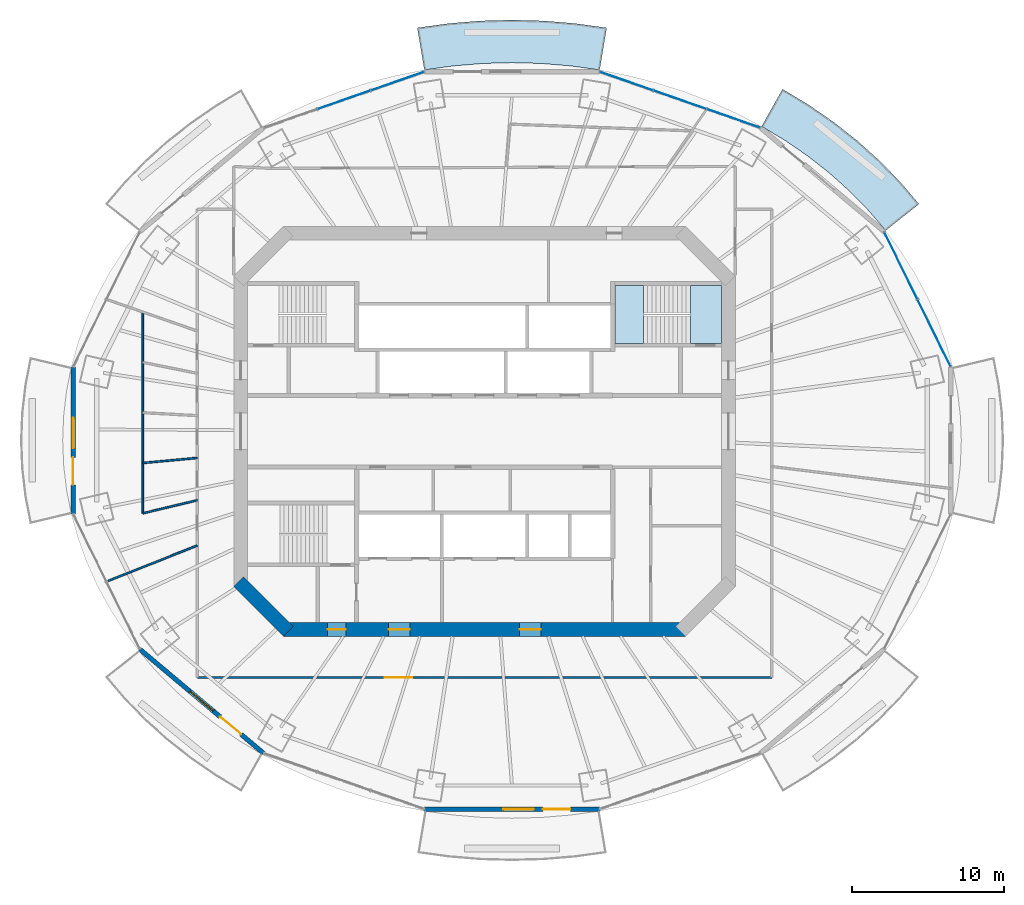
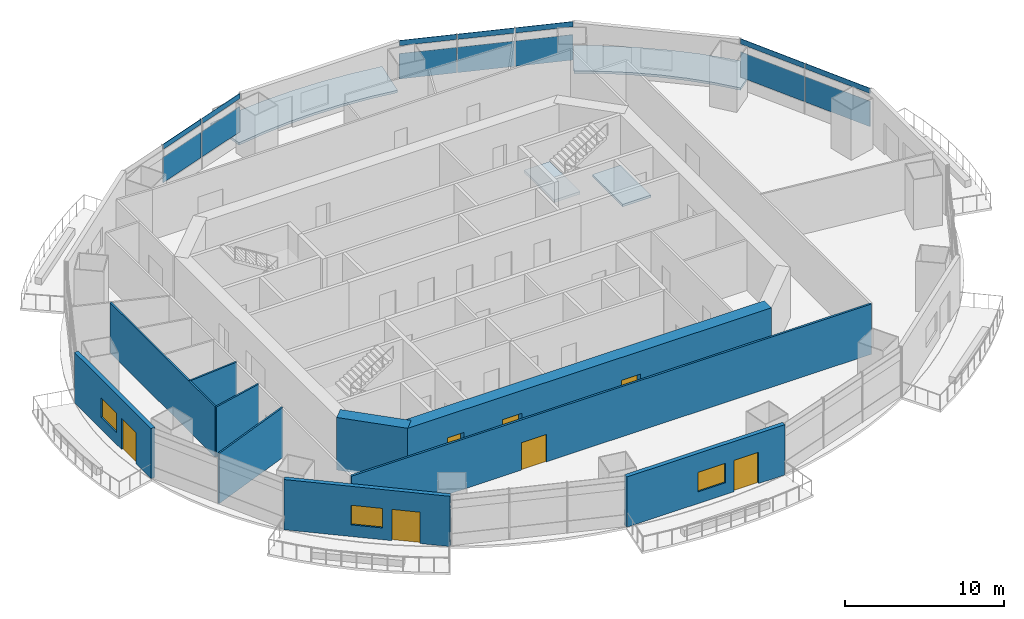
# One storey, part 10 of 16: 14 plates, 10 walls, 7 doors, 4 slabs, 3 windows, 10 openings, 7 elements without a shape of their own.
"""IFC4 building model written with IfcOpenShell, lengths in metres."""

import ifcopenshell
import ifcopenshell.guid

model = None  # the IFC model being written
_history = None  # IfcOwnerHistory: only IFC2X3 demands one
_inside = {}  # id of a spatial element -> (the spatial element, [elements in it])
_under = {}  # id of a project, library or spatial element -> (it, [spatial elements below it])
_declared = {}  # id of a project -> (the project, [libraries it declares])
_typed = {}  # id of a type object -> (the type object, [elements of that type])
_made_of = {}  # id of a material, layer set ... -> (it, [elements and type objects made of it])


def new_model(schema):
    """Start an empty IFC model of exactly this schema.

    Asked for "IFC4X3", IfcOpenShell would pick the latest addendum, in which some entities
    have other attributes; the version numbers below select the first issue.
    IFC2X3 requires an IfcOwnerHistory on every rooted entity: one is made here for all.
    """
    global model, _history
    if schema == "IFC4X3":
        model = ifcopenshell.file(schema_version=(4, 3, 0, 0))
    else:
        model = ifcopenshell.file(schema=schema)
    _inside.clear()
    _under.clear()
    _declared.clear()
    _typed.clear()
    _made_of.clear()
    _history = None
    if model.schema == "IFC2X3":
        org = make("IfcOrganization", Name="unknown")
        user = make(
            "IfcPersonAndOrganization",
            ThePerson=make("IfcPerson", FamilyName="unknown"),
            TheOrganization=org,
        )
        app = make(
            "IfcApplication",
            ApplicationDeveloper=org,
            Version="unknown",
            ApplicationFullName="unknown",
            ApplicationIdentifier="unknown",
        )
        _history = make(
            "IfcOwnerHistory",
            OwningUser=user,
            OwningApplication=app,
            ChangeAction="ADDED",
            CreationDate=0,
        )
    return model


def make(cls, **values):
    """One entity of the class cls with the attributes given. An attribute that is None is left unset."""
    return model.create_entity(
        cls, **{name: value for name, value in values.items() if value is not None}
    )


def rooted(cls, **values):
    """An entity with a GlobalId (a new one), such as an element, a storey or a relation."""
    return make(cls, GlobalId=ifcopenshell.guid.new(), OwnerHistory=_history, **values)


def si_unit(unit_type, name, prefix=None):
    """IfcSIUnit, for example si_unit("LENGTHUNIT", "METRE", prefix="MILLI")."""
    return make("IfcSIUnit", UnitType=unit_type, Prefix=prefix, Name=name)


def assignment(units):
    """IfcUnitAssignment: the units of a project."""
    return None if units is None else make("IfcUnitAssignment", Units=units)


def point(xyz):
    """IfcCartesianPoint."""
    return None if xyz is None else make("IfcCartesianPoint", Coordinates=xyz)


def direction(xyz):
    """IfcDirection."""
    return None if xyz is None else make("IfcDirection", DirectionRatios=xyz)


def frame(location, z_axis=None, x_axis=None):
    """IfcAxis2Placement3D, a coordinate frame: its origin and axes. An axis left out is left unset."""
    return make(
        "IfcAxis2Placement3D",
        Location=point(location),
        Axis=direction(z_axis),
        RefDirection=direction(x_axis),
    )


def frame_2d(location, x_axis=None):
    """IfcAxis2Placement2D, a coordinate frame in the plane: its origin and x axis."""
    return make(
        "IfcAxis2Placement2D", Location=point(location), RefDirection=direction(x_axis)
    )


def origin():
    """The frame at (0, 0, 0) with its axes left unset."""
    return frame((0.0, 0.0, 0.0))


def origin_2d():
    """The frame at (0, 0) in the plane with its x axis left unset."""
    return frame_2d((0.0, 0.0))


def place(relative_to, where):
    """IfcLocalPlacement: puts the frame where relative to a parent placement (None: the world)."""
    return make(
        "IfcLocalPlacement", PlacementRelTo=relative_to, RelativePlacement=where
    )


def context(
    kind, dimensions, precision=None, world=None, true_north=None, identifier=None
):
    """IfcGeometricRepresentationContext, for example the 3D "Model" context."""
    return make(
        "IfcGeometricRepresentationContext",
        ContextIdentifier=identifier,
        ContextType=kind,
        CoordinateSpaceDimension=dimensions,
        Precision=precision,
        WorldCoordinateSystem=world,
        TrueNorth=true_north,
    )


def subcontext(parent, identifier, kind, view, scale=None):
    """IfcGeometricRepresentationSubContext, for example "Body" below "Model"."""
    return make(
        "IfcGeometricRepresentationSubContext",
        ContextIdentifier=identifier,
        ContextType=kind,
        ParentContext=parent,
        TargetScale=scale,
        TargetView=view,
    )


def project(units=None, contexts=None):
    """IfcProject with its units and contexts."""
    return rooted(
        "IfcProject",
        Name="project",
        RepresentationContexts=contexts,
        UnitsInContext=assignment(units),
    )


def spatial(cls, under=None, at=None, **own):
    """A site, building, storey or space (cls), placed at a placement, below another one or the project."""
    s = rooted(cls, ObjectPlacement=at, **own)
    if under is not None:
        _under.setdefault(under.id(), (under, []))[1].append(s)
    return s


def polyline(points):
    """IfcPolyline through the points."""
    return make("IfcPolyline", Points=[point(p) for p in points])


def profile(cls, at=None, kind="AREA", **sizes):
    """A parametric profile (cls). Its sizes go by their IFC names, for example OverallWidth=200.0."""
    return make(cls, ProfileType=kind, Position=at, **sizes)


def rectangle(**sizes):
    """IfcRectangleProfileDef."""
    return profile("IfcRectangleProfileDef", **sizes)


def outline(outer, holes=None, kind="AREA"):
    """IfcArbitraryClosedProfileDef: a profile drawn as a closed curve; with holes, ...WithVoids."""
    if holes is None:
        return make("IfcArbitraryClosedProfileDef", ProfileType=kind, OuterCurve=outer)
    return make(
        "IfcArbitraryProfileDefWithVoids",
        ProfileType=kind,
        OuterCurve=outer,
        InnerCurves=holes,
    )


def extrude(swept, where, along, depth):
    """IfcExtrudedAreaSolid: the profile swept, set in the frame where, extruded along a direction by depth."""
    return make(
        "IfcExtrudedAreaSolid",
        SweptArea=swept,
        Position=where,
        ExtrudedDirection=direction(along),
        Depth=depth,
    )


def shape(context_of_items, identifier, shape_type, items):
    """IfcShapeRepresentation: the items that make up one representation, for example the "Body"."""
    return make(
        "IfcShapeRepresentation",
        ContextOfItems=context_of_items,
        RepresentationIdentifier=identifier,
        RepresentationType=shape_type,
        Items=items,
    )


def material(Name=None, Category=None):
    """IfcMaterial."""
    return make("IfcMaterial", Name=Name, Category=Category)


def layer(
    of_material, thickness, ventilated=None, Name=None, Category=None, Priority=None
):
    """IfcMaterialLayer: one layer of a wall or slab, of a material (None: an air gap)."""
    return make(
        "IfcMaterialLayer",
        Material=of_material,
        LayerThickness=thickness,
        IsVentilated=ventilated,
        Name=Name,
        Category=Category,
        Priority=Priority,
    )


def layer_set(layers, Name=None):
    """IfcMaterialLayerSet."""
    return make("IfcMaterialLayerSet", MaterialLayers=layers, LayerSetName=Name)


def made_of(thing, what):
    """Note that an element or type object is made of a material, layer set ...; save() writes the relation."""
    if what is not None:
        _made_of.setdefault(what.id(), (what, []))[1].append(thing)
    return thing


def type_object(cls, material=None, **own):
    """A type object (cls), such as IfcWallType, which elements share."""
    return made_of(rooted(cls, **own), material)


def element(
    cls,
    number,
    at=None,
    inside=None,
    cuts=None,
    type_object=None,
    material=None,
    context=None,
    identifier="Body",
    shape_type=None,
    held_by="IfcProductDefinitionShape",
    body=None,
    shapes=None,
    **own,
):
    """One element of the class cls, such as IfcWall. Its Tag is "e" and its number.

    at: its placement. inside: the storey or other place that contains it. cuts: it is an
    opening in that element (IfcRelVoidsElement). A single representation is given by context,
    identifier, shape_type and body (its items); several are given by shapes. held_by: the class
    of the entity that holds the representations. save() writes the other relations.
    """
    e = rooted(cls, Tag="e%d" % number, ObjectPlacement=at, **own)
    if body is not None:
        shapes = [shape(context, identifier, shape_type, body)]
    if shapes is not None:
        e.Representation = make(held_by, Representations=shapes)
    if inside is not None:
        _inside.setdefault(inside.id(), (inside, []))[1].append(e)
    if cuts is not None:
        rooted(
            "IfcRelVoidsElement", RelatingBuildingElement=cuts, RelatedOpeningElement=e
        )
    if type_object is not None:
        _typed.setdefault(type_object.id(), (type_object, []))[1].append(e)
    return made_of(e, material)


def fill(opening, filler):
    """IfcRelFillsElement: the door or window that sits in an opening."""
    return rooted(
        "IfcRelFillsElement",
        RelatingOpeningElement=opening,
        RelatedBuildingElement=filler,
    )


def aggregate(whole, parts):
    """IfcRelAggregates: a whole, such as a stair, and the parts it consists of."""
    return rooted("IfcRelAggregates", RelatingObject=whole, RelatedObjects=parts)


def save(model, path):
    """Write the relations noted so far, then the file.

    IfcRelAggregates (storeys below a building ...), IfcRelContainedInSpatialStructure (elements
    in a storey), IfcRelDefinesByType, IfcRelAssociatesMaterial and IfcRelDeclares: one each for
    every whole, place, type object, material and project.
    """
    for whole, parts in _under.values():
        aggregate(whole, parts)
    for where, things in _inside.values():
        rooted(
            "IfcRelContainedInSpatialStructure",
            RelatedElements=things,
            RelatingStructure=where,
        )
    for kind, things in _typed.values():
        rooted("IfcRelDefinesByType", RelatedObjects=things, RelatingType=kind)
    for what, things in _made_of.values():
        rooted("IfcRelAssociatesMaterial", RelatedObjects=things, RelatingMaterial=what)
    for by, libraries in _declared.values():
        rooted("IfcRelDeclares", RelatingContext=by, RelatedDefinitions=libraries)
    model.write(path)


model = new_model("IFC4")

# Units and contexts
model_context = context("Model", 3, precision=1e-05, world=origin(), true_north=direction((0.0, 1.0)))
body_context = subcontext(model_context, "Body", "Model", "MODEL_VIEW")
ifc_project = project(units=[si_unit("LENGTHUNIT", "METRE"), si_unit("AREAUNIT", "SQUARE_METRE"), si_unit("VOLUMEUNIT", "CUBIC_METRE"), si_unit("PLANEANGLEUNIT", "RADIAN"), si_unit("MASSUNIT", "GRAM", prefix="KILO")], contexts=[model_context])

# Site, building, storey
site_placement = place(None, origin())
site = spatial("IfcSite", under=ifc_project, at=site_placement, CompositionType="ELEMENT")
building_placement = place(site_placement, origin())
building = spatial("IfcBuilding", under=site, at=building_placement, Name="Marenthal Gate Tower", CompositionType="ELEMENT")
storey_placement = place(building_placement, frame((0.0, 0.0, 268.949951171875)))
storey = spatial("IfcBuildingStorey", under=building, at=storey_placement, Name="L60", CompositionType="ELEMENT", Elevation=268.949951171875)

# Slabs
ifc_material_1 = material(Name="Concrete 40 MPa", Category="concrete")
ifc_layer_1 = layer(ifc_material_1, 0.179931640625)
ifc_layer_set_1 = layer_set([ifc_layer_1], Name="Balcony deck 180")
slab_type_1 = type_object("IfcSlabType", Name="Balcony deck 180", PredefinedType="USERDEFINED", material=ifc_layer_set_1)
slab_1_placement = place(storey_placement, frame((0.0, 0.0, -0.219970703125)))
element("IfcSlab", 1, at=slab_1_placement, inside=storey, type_object=slab_type_1, Name="Balcony deck L60 bay 2", ObjectType="BALCONY", PredefinedType="USERDEFINED", context=body_context, shape_type="SweptSolid", body=[
    extrude(outline(polyline([(26.3125, 13.17138671875), (25.188720703125, 14.489990234375), (23.965087890625, 15.743896484375), (22.646240234375, 16.927734375), (21.23828125, 18.03662109375), (19.746826171875, 19.065673828125), (18.1787109375, 20.010498046875), (19.55029296875, 22.45166015625), (21.264892578125, 21.41845703125), (22.89990234375, 20.290283203125), (24.4482421875, 19.07080078125), (25.90283203125, 17.76513671875), (27.257080078125, 16.37744140625), (28.504638671875, 14.91357421875), (26.3125, 13.17138671875)])), origin(), (0.0, 0.0, 1.0), 0.179931640625),
])
slab_2_placement = place(storey_placement, frame((0.0, 0.0, -0.219970703125)))
element("IfcSlab", 2, at=slab_2_placement, inside=storey, type_object=slab_type_1, Name="Balcony deck L60 bay 4", ObjectType="BALCONY", PredefinedType="USERDEFINED", context=body_context, shape_type="SweptSolid", body=[
    extrude(outline(polyline([(7.551513671875, 23.711669921875), (5.64794921875, 23.975830078125), (3.72802734375, 24.135009765625), (1.800048828125, 24.18798828125), (-0.128173828125, 24.135009765625), (-2.048095703125, 23.975830078125), (-3.951416015625, 23.711669921875), (-4.413330078125, 26.473388671875), (-2.35595703125, 26.7587890625), (-0.2822265625, 26.9306640625), (1.800048828125, 26.988037109375), (3.882080078125, 26.9306640625), (5.9560546875, 26.7587890625), (8.013427734375, 26.473388671875), (7.551513671875, 23.711669921875)])), origin(), (0.0, 0.0, 1.0), 0.179931640625),
])
ifc_material_2 = material(Name="Concrete 50 MPa", Category="concrete")
ifc_layer_2 = layer(ifc_material_2, 0.179931640625)
ifc_layer_set_2 = layer_set([ifc_layer_2], Name="Core floor slab 180")
slab_type_2 = type_object("IfcSlabType", Name="Core floor slab 180", PredefinedType="FLOOR", material=ifc_layer_set_2)
slab_3_placement = place(storey_placement, frame((0.0, 0.0, -0.179931640625)))
element("IfcSlab", 3, at=slab_3_placement, inside=storey, type_object=slab_type_2, Name="Core floor L60", PredefinedType="FLOOR", context=body_context, shape_type="SweptSolid", body=[
    extrude(outline(polyline([(15.550048828125, 5.77490234375), (13.5, 5.77490234375), (13.5, 9.574951171875), (15.550048828125, 9.574951171875), (15.550048828125, 5.77490234375)])), origin(), (0.0, 0.0, 1.0), 0.179931640625),
])

# Curtain wall, plates
ifc_material_3 = material(Name="Aluminium and glass", Category="aluminium")
curtain_wall_type_1 = type_object("IfcCurtainWallType", Name="Curtain wall typical mid", PredefinedType="NOTDEFINED", material=ifc_material_3)
curtain_wall_1_placement = place(storey_placement, origin())
curtain_wall_1 = element("IfcCurtainWall", 4, at=curtain_wall_1_placement, inside=storey, type_object=curtain_wall_type_1, Name="Curtain wall L60 bay 1", PredefinedType="NOTDEFINED")
ifc_material_4 = material(Name="Glass, laminated insulating unit", Category="glass")
ifc_layer_3 = layer(ifc_material_4, 0.030029296875)
ifc_layer_set_3 = layer_set([ifc_layer_3], Name="Glass panel 30 typical mid")
plate_type_1 = type_object("IfcPlateType", Name="Glass panel 30 typical mid", PredefinedType="CURTAIN_PANEL", material=ifc_layer_set_3)
plate_1_placement = place(storey_placement, frame((29.494140625, 6.448974609375, 0.89990234375), z_axis=(0.0, 0.0, 1.0), x_axis=(-0.442191564697, 0.896920632002, 0.0)))
plate_1 = element("IfcPlate", 5, at=plate_1_placement, type_object=plate_type_1, Name="Glass panel L60 bay 1.1", PredefinedType="CURTAIN_PANEL", context=body_context, shape_type="SweptSolid", body=[
    extrude(rectangle(XDim=4.8671875, YDim=0.030029296875, at=origin_2d()), origin(), (0.0, 0.0, 1.0), 1.949951171875),
])
plate_2_placement = place(storey_placement, frame((27.3154296875, 10.8681640625, 0.89990234375), z_axis=(0.0, 0.0, 1.0), x_axis=(-0.442191564697, 0.896920632002, 0.0)))
plate_2 = element("IfcPlate", 6, at=plate_2_placement, type_object=plate_type_1, Name="Glass panel L60 bay 1.2", PredefinedType="CURTAIN_PANEL", context=body_context, shape_type="SweptSolid", body=[
    extrude(rectangle(XDim=4.8671875, YDim=0.030029296875, at=origin_2d()), origin(), (0.0, 0.0, 1.0), 1.949951171875),
])
aggregate(curtain_wall_1, [plate_1, plate_2])

curtain_wall_2_placement = place(storey_placement, origin())
curtain_wall_2 = element("IfcCurtainWall", 7, at=curtain_wall_2_placement, inside=storey, type_object=curtain_wall_type_1, Name="Curtain wall L60 bay 3", PredefinedType="NOTDEFINED")
plate_3_placement = place(storey_placement, frame((16.3291015625, 20.53125, 0.89990234375), z_axis=(0.0, 0.0, 1.0), x_axis=(-0.944444900709, 0.328669787971, 0.0)))
plate_3 = element("IfcPlate", 8, at=plate_3_placement, type_object=plate_type_1, Name="Glass panel L60 bay 3.1", PredefinedType="CURTAIN_PANEL", context=body_context, shape_type="SweptSolid", body=[
    extrude(rectangle(XDim=3.655517578125, YDim=0.030029296875, at=origin_2d()), origin(), (0.0, 0.0, 1.0), 1.949951171875),
])
plate_4_placement = place(storey_placement, frame((12.820068359375, 21.75244140625, 0.89990234375), z_axis=(0.0, 0.0, 1.0), x_axis=(-0.944444900709, 0.328669787971, 0.0)))
plate_4 = element("IfcPlate", 9, at=plate_4_placement, type_object=plate_type_1, Name="Glass panel L60 bay 3.2", PredefinedType="CURTAIN_PANEL", context=body_context, shape_type="SweptSolid", body=[
    extrude(rectangle(XDim=3.655517578125, YDim=0.030029296875, at=origin_2d()), origin(), (0.0, 0.0, 1.0), 1.949951171875),
])
plate_5_placement = place(storey_placement, frame((9.310791015625, 22.9736328125, 0.89990234375), z_axis=(0.0, 0.0, 1.0), x_axis=(-0.944444900709, 0.328669787971, 0.0)))
plate_5 = element("IfcPlate", 10, at=plate_5_placement, type_object=plate_type_1, Name="Glass panel L60 bay 3.3", PredefinedType="CURTAIN_PANEL", context=body_context, shape_type="SweptSolid", body=[
    extrude(rectangle(XDim=3.655517578125, YDim=0.030029296875, at=origin_2d()), origin(), (0.0, 0.0, 1.0), 1.949951171875),
])
aggregate(curtain_wall_2, [plate_3, plate_4, plate_5])

curtain_wall_3_placement = place(storey_placement, origin())
curtain_wall_3 = element("IfcCurtainWall", 11, at=curtain_wall_3_placement, inside=storey, type_object=curtain_wall_type_1, Name="Curtain wall L60 bay 5", PredefinedType="NOTDEFINED")
plate_6_placement = place(storey_placement, frame((-5.7109375, 22.9736328125, 0.89990234375), z_axis=(0.0, 0.0, 1.0), x_axis=(-0.944444900709, -0.328669787971, 0.0)))
plate_6 = element("IfcPlate", 12, at=plate_6_placement, type_object=plate_type_1, Name="Glass panel L60 bay 5.1", PredefinedType="CURTAIN_PANEL", context=body_context, shape_type="SweptSolid", body=[
    extrude(rectangle(XDim=3.655517578125, YDim=0.030029296875, at=origin_2d()), origin(), (0.0, 0.0, 1.0), 1.949951171875),
])
plate_7_placement = place(storey_placement, frame((-9.219970703125, 21.75244140625, 0.89990234375), z_axis=(0.0, 0.0, 1.0), x_axis=(-0.944444900709, -0.328669787971, 0.0)))
plate_7 = element("IfcPlate", 13, at=plate_7_placement, type_object=plate_type_1, Name="Glass panel L60 bay 5.2", PredefinedType="CURTAIN_PANEL", context=body_context, shape_type="SweptSolid", body=[
    extrude(rectangle(XDim=3.655517578125, YDim=0.030029296875, at=origin_2d()), origin(), (0.0, 0.0, 1.0), 1.949951171875),
])
aggregate(curtain_wall_3, [plate_6, plate_7])

# Stair, slab
ifc_material_5 = material(Name="Concrete 40 MPa", Category="concrete")
stair_type = type_object("IfcStairType", Name="Exit stair 1800", PredefinedType="HALF_TURN_STAIR", material=ifc_material_5)
stair_placement = place(storey_placement, origin())
stair = element("IfcStair", 14, at=stair_placement, inside=storey, type_object=stair_type, Name="Stair ST3", PredefinedType="HALF_TURN_STAIR")
ifc_material_6 = material(Name="Concrete 40 MPa", Category="concrete")
ifc_layer_4 = layer(ifc_material_6, 0.199951171875)
ifc_layer_set_4 = layer_set([ifc_layer_4], Name="Stair landing 200")
slab_type_3 = type_object("IfcSlabType", Name="Stair landing 200", PredefinedType="LANDING", material=ifc_layer_set_4)
slab_4_placement = place(storey_placement, frame((0.0, 0.0, 1.875)))
slab_4 = element("IfcSlab", 15, at=slab_4_placement, type_object=slab_type_3, Name="ST3 landing 1", PredefinedType="LANDING", context=body_context, shape_type="SweptSolid", body=[
    extrude(outline(polyline([(8.550048828125, 5.77490234375), (10.419921875, 5.77490234375), (10.419921875, 9.574951171875), (8.550048828125, 9.574951171875), (8.550048828125, 5.77490234375)])), origin(), (0.0, 0.0, 1.0), 0.199951171875),
])
aggregate(stair, [slab_4])

# Curtain wall, plates
ifc_material_7 = material(Name="Aluminium and glass", Category="aluminium")
curtain_wall_type_2 = type_object("IfcCurtainWallType", Name="Curtain wall crown clad", PredefinedType="NOTDEFINED", material=ifc_material_7)
curtain_wall_4_placement = place(storey_placement, origin())
curtain_wall_4 = element("IfcCurtainWall", 16, at=curtain_wall_4_placement, inside=storey, type_object=curtain_wall_type_2, Name="Curtain wall L60 bay 1 head band", PredefinedType="NOTDEFINED")
ifc_material_8 = material(Name="Terracotta cladding panel", Category="masonry")
ifc_layer_5 = layer(ifc_material_8, 0.031982421875)
ifc_layer_set_5 = layer_set([ifc_layer_5], Name="Terracotta panel 32 crown clad")
plate_type_2 = type_object("IfcPlateType", Name="Terracotta panel 32 crown clad", PredefinedType="CURTAIN_PANEL", material=ifc_layer_set_5)
plate_8_placement = place(storey_placement, frame((29.494140625, 6.448974609375, 3.4501953125), z_axis=(0.0, 0.0, 1.0), x_axis=(-0.442191564697, 0.896920632002, 0.0)))
plate_8 = element("IfcPlate", 17, at=plate_8_placement, type_object=plate_type_2, Name="Terracotta panel L60 bay 1.1 head band", PredefinedType="CURTAIN_PANEL", context=body_context, shape_type="SweptSolid", body=[
    extrude(rectangle(XDim=4.8671875, YDim=0.031982421875, at=origin_2d()), origin(), (0.0, 0.0, 1.0), 0.39990234375),
])
plate_9_placement = place(storey_placement, frame((27.3154296875, 10.8681640625, 3.4501953125), z_axis=(0.0, 0.0, 1.0), x_axis=(-0.442191564697, 0.896920632002, 0.0)))
plate_9 = element("IfcPlate", 18, at=plate_9_placement, type_object=plate_type_2, Name="Terracotta panel L60 bay 1.2 head band", PredefinedType="CURTAIN_PANEL", context=body_context, shape_type="SweptSolid", body=[
    extrude(rectangle(XDim=4.8671875, YDim=0.031982421875, at=origin_2d()), origin(), (0.0, 0.0, 1.0), 0.39990234375),
])
aggregate(curtain_wall_4, [plate_8, plate_9])

curtain_wall_5_placement = place(storey_placement, origin())
curtain_wall_5 = element("IfcCurtainWall", 19, at=curtain_wall_5_placement, inside=storey, type_object=curtain_wall_type_2, Name="Curtain wall L60 bay 3 head band", PredefinedType="NOTDEFINED")
plate_10_placement = place(storey_placement, frame((16.3291015625, 20.53125, 3.4501953125), z_axis=(0.0, 0.0, 1.0), x_axis=(-0.944444900709, 0.328669787971, 0.0)))
plate_10 = element("IfcPlate", 20, at=plate_10_placement, type_object=plate_type_2, Name="Terracotta panel L60 bay 3.1 head band", PredefinedType="CURTAIN_PANEL", context=body_context, shape_type="SweptSolid", body=[
    extrude(rectangle(XDim=3.655517578125, YDim=0.031982421875, at=origin_2d()), origin(), (0.0, 0.0, 1.0), 0.39990234375),
])
plate_11_placement = place(storey_placement, frame((12.820068359375, 21.75244140625, 3.4501953125), z_axis=(0.0, 0.0, 1.0), x_axis=(-0.944444900709, 0.328669787971, 0.0)))
plate_11 = element("IfcPlate", 21, at=plate_11_placement, type_object=plate_type_2, Name="Terracotta panel L60 bay 3.2 head band", PredefinedType="CURTAIN_PANEL", context=body_context, shape_type="SweptSolid", body=[
    extrude(rectangle(XDim=3.655517578125, YDim=0.031982421875, at=origin_2d()), origin(), (0.0, 0.0, 1.0), 0.39990234375),
])
plate_12_placement = place(storey_placement, frame((9.310791015625, 22.9736328125, 3.4501953125), z_axis=(0.0, 0.0, 1.0), x_axis=(-0.944444900709, 0.328669787971, 0.0)))
plate_12 = element("IfcPlate", 22, at=plate_12_placement, type_object=plate_type_2, Name="Terracotta panel L60 bay 3.3 head band", PredefinedType="CURTAIN_PANEL", context=body_context, shape_type="SweptSolid", body=[
    extrude(rectangle(XDim=3.655517578125, YDim=0.031982421875, at=origin_2d()), origin(), (0.0, 0.0, 1.0), 0.39990234375),
])
aggregate(curtain_wall_5, [plate_10, plate_11, plate_12])

curtain_wall_6_placement = place(storey_placement, origin())
curtain_wall_6 = element("IfcCurtainWall", 23, at=curtain_wall_6_placement, inside=storey, type_object=curtain_wall_type_2, Name="Curtain wall L60 bay 5 head band", PredefinedType="NOTDEFINED")
plate_13_placement = place(storey_placement, frame((-5.7109375, 22.9736328125, 3.4501953125), z_axis=(0.0, 0.0, 1.0), x_axis=(-0.944444900709, -0.328669787971, 0.0)))
plate_13 = element("IfcPlate", 24, at=plate_13_placement, type_object=plate_type_2, Name="Terracotta panel L60 bay 5.1 head band", PredefinedType="CURTAIN_PANEL", context=body_context, shape_type="SweptSolid", body=[
    extrude(rectangle(XDim=3.655517578125, YDim=0.031982421875, at=origin_2d()), origin(), (0.0, 0.0, 1.0), 0.39990234375),
])
plate_14_placement = place(storey_placement, frame((-9.219970703125, 21.75244140625, 3.4501953125), z_axis=(0.0, 0.0, 1.0), x_axis=(-0.944444900709, -0.328669787971, 0.0)))
plate_14 = element("IfcPlate", 25, at=plate_14_placement, type_object=plate_type_2, Name="Terracotta panel L60 bay 5.2 head band", PredefinedType="CURTAIN_PANEL", context=body_context, shape_type="SweptSolid", body=[
    extrude(rectangle(XDim=3.655517578125, YDim=0.031982421875, at=origin_2d()), origin(), (0.0, 0.0, 1.0), 0.39990234375),
])
aggregate(curtain_wall_6, [plate_13, plate_14])

# Wall
ifc_material_9 = material(Name="Concrete 60 MPa", Category="concrete")
ifc_layer_6 = layer(ifc_material_9, 0.89990234375)
ifc_layer_set_6 = layer_set([ifc_layer_6], Name="Core shear wall 900")
wall_type_1 = type_object("IfcWallType", Name="Core shear wall 900", PredefinedType="SHEAR", material=ifc_layer_set_6)
wall_1_placement = place(storey_placement, frame((-16.1318359375, -9.8681640625, -0.179931640625), z_axis=(0.0, 0.0, 1.0), x_axis=(0.707106781187, -0.707106781187, 0.0)))
element("IfcWall", 26, at=wall_1_placement, inside=storey, type_object=wall_type_1, Name="Core wall 07", PredefinedType="SHEAR", context=body_context, shape_type="SweptSolid", body=[
    extrude(rectangle(XDim=4.615478515625, YDim=0.89990234375, at=frame_2d((2.3076171875, 0.0))), origin(), (0.0, 0.0, 1.0), 4.030029296875),
])

# Wall, openings, doors
wall_2_placement = place(storey_placement, frame((-13.186279296875, -13.0, -0.179931640625), z_axis=(0.0, 0.0, 1.0), x_axis=(1.0, 0.0, 0.0)))
wall_2 = element("IfcWall", 27, at=wall_2_placement, inside=storey, type_object=wall_type_1, Name="Core wall 08", PredefinedType="SHEAR", context=body_context, shape_type="SweptSolid", body=[
    extrude(rectangle(XDim=26.37255859375, YDim=0.89990234375, at=frame_2d((13.186279296875, 0.0))), origin(), (0.0, 0.0, 1.0), 4.030029296875),
])
opening_1_placement = place(wall_2_placement, frame((2.886474609375, 0.0, 0.179931640625)))
opening_1 = element("IfcOpeningElement", 28, at=opening_1_placement, cuts=wall_2, Name="Opening D001.06", PredefinedType="OPENING", context=body_context, shape_type="SweptSolid", body=[
    extrude(rectangle(XDim=1.199951171875, YDim=2.10009765625, at=frame_2d((0.60009765625, 1.050048828125))), frame((0.0, 0.4599609375, 0.0), z_axis=(0.0, -1.0, 0.0), x_axis=(1.0, 0.0, 0.0)), (0.0, 0.0, 1.0), 0.919921875),
])
opening_2_placement = place(wall_2_placement, frame((6.886474609375, 0.0, 0.179931640625)))
opening_2 = element("IfcOpeningElement", 29, at=opening_2_placement, cuts=wall_2, Name="Opening D004.01", PredefinedType="OPENING", context=body_context, shape_type="SweptSolid", body=[
    extrude(rectangle(XDim=1.39990234375, YDim=2.10009765625, at=frame_2d((0.699951171875, 1.050048828125))), frame((0.0, 0.4599609375, 0.0), z_axis=(0.0, -1.0, 0.0), x_axis=(1.0, 0.0, 0.0)), (0.0, 0.0, 1.0), 0.919921875),
])
opening_3_placement = place(wall_2_placement, frame((15.486328125, 0.0, 0.179931640625)))
opening_3 = element("IfcOpeningElement", 30, at=opening_3_placement, cuts=wall_2, Name="Opening D004.02", PredefinedType="OPENING", context=body_context, shape_type="SweptSolid", body=[
    extrude(rectangle(XDim=1.39990234375, YDim=2.10009765625, at=frame_2d((0.699951171875, 1.050048828125))), frame((0.0, 0.4599609375, 0.0), z_axis=(0.0, -1.0, 0.0), x_axis=(1.0, 0.0, 0.0)), (0.0, 0.0, 1.0), 0.919921875),
])
ifc_material_10 = material(Name="Steel fire door", Category="steel")
door_type_1 = type_object("IfcDoorType", Name="Fire door FD 45 1400 x 2100", OperationType="NOTDEFINED", PredefinedType="DOOR", material=ifc_material_10)
door_1_placement = place(opening_2_placement, origin())
door_1 = element("IfcDoor", 31, at=door_1_placement, inside=storey, type_object=door_type_1, Name="Door D004.01", OperationType="SINGLE_SWING_RIGHT", OverallHeight=2.10009765625, OverallWidth=1.39990234375, PredefinedType="DOOR", context=body_context, shape_type="SweptSolid", body=[
    extrude(rectangle(XDim=1.39990234375, YDim=2.10009765625, at=frame_2d((0.699951171875, 1.050048828125))), frame((0.0, 0.02490234375, 0.0), z_axis=(0.0, -1.0, 0.0), x_axis=(1.0, 0.0, 0.0)), (0.0, 0.0, 1.0), 0.050048828125),
])
fill(opening_2, door_1)
door_2_placement = place(opening_3_placement, origin())
door_2 = element("IfcDoor", 32, at=door_2_placement, inside=storey, type_object=door_type_1, Name="Door D004.02", OperationType="SINGLE_SWING_RIGHT", OverallHeight=2.10009765625, OverallWidth=1.39990234375, PredefinedType="DOOR", context=body_context, shape_type="SweptSolid", body=[
    extrude(rectangle(XDim=1.39990234375, YDim=2.10009765625, at=frame_2d((0.699951171875, 1.050048828125))), frame((0.0, 0.02490234375, 0.0), z_axis=(0.0, -1.0, 0.0), x_axis=(1.0, 0.0, 0.0)), (0.0, 0.0, 1.0), 0.050048828125),
])
fill(opening_3, door_2)
ifc_material_11 = material(Name="Steel fire door", Category="steel")
door_type_2 = type_object("IfcDoorType", Name="Fire door FD 90 1200 x 2100", OperationType="NOTDEFINED", PredefinedType="DOOR", material=ifc_material_11)
door_3_placement = place(opening_1_placement, origin())
door_3 = element("IfcDoor", 33, at=door_3_placement, inside=storey, type_object=door_type_2, Name="Door D001.06", OperationType="SINGLE_SWING_RIGHT", OverallHeight=2.10009765625, OverallWidth=1.199951171875, PredefinedType="DOOR", context=body_context, shape_type="SweptSolid", body=[
    extrude(rectangle(XDim=1.199951171875, YDim=2.10009765625, at=frame_2d((0.60009765625, 1.050048828125))), frame((0.0, 0.02490234375, 0.0), z_axis=(0.0, -1.0, 0.0), x_axis=(1.0, 0.0, 0.0)), (0.0, 0.0, 1.0), 0.050048828125),
])
fill(opening_1, door_3)

# Walls
ifc_material_12 = material(Name="Gypsum board on steel studs", Category="steel")
ifc_layer_7 = layer(ifc_material_12, 0.1201171875)
ifc_layer_set_7 = layer_set([ifc_layer_7], Name="Partition 120")
wall_type_2 = type_object("IfcWallType", Name="Partition 120", PredefinedType="PARTITIONING", material=ifc_layer_set_7)
wall_3_placement = place(storey_placement, frame((-22.4228515625, -5.37939453125, 0.0), z_axis=(0.0, 0.0, 1.0), x_axis=(0.972404790941, 0.233300069769, 0.0)))
element("IfcWall", 34, at=wall_3_placement, inside=storey, type_object=wall_type_2, Name="Partition wall 50", PredefinedType="PARTITIONING", context=body_context, shape_type="SweptSolid", body=[
    extrude(rectangle(XDim=3.674072265625, YDim=0.1201171875, at=frame_2d((1.8369140625, 0.0))), origin(), (0.0, 0.0, 1.0), 3.85009765625),
])
wall_4_placement = place(storey_placement, frame((-22.4228515625, -2.07763671875, 0.0), z_axis=(0.0, 0.0, 1.0), x_axis=(0.995734425091, 0.092265674486, 0.0)))
element("IfcWall", 35, at=wall_4_placement, inside=storey, type_object=wall_type_2, Name="Partition wall 51", PredefinedType="PARTITIONING", context=body_context, shape_type="SweptSolid", body=[
    extrude(rectangle(XDim=3.588134765625, YDim=0.1201171875, at=frame_2d((1.7939453125, 0.0))), origin(), (0.0, 0.0, 1.0), 3.85009765625),
])
wall_5_placement = place(storey_placement, frame((-22.4228515625, 7.8271484375, 0.0), z_axis=(0.0, 0.0, 1.0), x_axis=(0.0, -1.0, 0.0)))
element("IfcWall", 36, at=wall_5_placement, inside=storey, type_object=wall_type_2, Name="Partition wall 54", PredefinedType="PARTITIONING", context=body_context, shape_type="SweptSolid", body=[
    extrude(rectangle(XDim=13.20654296875, YDim=0.1201171875, at=frame_2d((6.603271484375, 0.0))), origin(), (0.0, 0.0, 1.0), 3.85009765625),
])
wall_6_placement = place(storey_placement, frame((-18.85009765625, -7.491943359375, 0.0), z_axis=(0.0, 0.0, 1.0), x_axis=(-0.929289035648, -0.369353337908, 0.0)))
element("IfcWall", 37, at=wall_6_placement, inside=storey, type_object=wall_type_2, Name="Partition wall 56", PredefinedType="PARTITIONING", context=body_context, shape_type="SweptSolid", body=[
    extrude(rectangle(XDim=6.40771484375, YDim=0.1201171875, at=frame_2d((3.203857421875, 0.0))), origin(), (0.0, 0.0, 1.0), 3.85009765625),
])

# Wall, opening, door
ifc_material_13 = material(Name="Gypsum board on steel studs", Category="steel")
ifc_layer_8 = layer(ifc_material_13, 0.14990234375)
ifc_layer_set_8 = layer_set([ifc_layer_8], Name="Partition 150")
wall_type_3 = type_object("IfcWallType", Name="Partition 150", PredefinedType="PARTITIONING", material=ifc_layer_set_8)
wall_7_placement = place(storey_placement, frame((18.85009765625, -16.14990234375, 0.0), z_axis=(0.0, 0.0, 1.0), x_axis=(-1.0, 0.0, 0.0)))
wall_7 = element("IfcWall", 38, at=wall_7_placement, inside=storey, type_object=wall_type_3, Name="Partition wall 68", PredefinedType="PARTITIONING", context=body_context, shape_type="SweptSolid", body=[
    extrude(rectangle(XDim=37.7001953125, YDim=0.14990234375, at=frame_2d((18.85009765625, 0.0))), origin(), (0.0, 0.0, 1.0), 3.85009765625),
])
opening_4_placement = place(wall_7_placement, frame((23.5830078125, 0.0, 0.0)))
opening_4 = element("IfcOpeningElement", 39, at=opening_4_placement, cuts=wall_7, Name="Opening D014.02", PredefinedType="OPENING", context=body_context, shape_type="SweptSolid", body=[
    extrude(rectangle(XDim=1.800048828125, YDim=2.10009765625, at=frame_2d((0.89990234375, 1.050048828125))), frame((0.0, 0.0849609375, 0.0), z_axis=(0.0, -1.0, 0.0), x_axis=(1.0, 0.0, 0.0)), (0.0, 0.0, 1.0), 0.169921875),
])
ifc_material_14 = material(Name="Timber door", Category="wood")
door_type_3 = type_object("IfcDoorType", Name="Double door 1800 x 2100", OperationType="DOUBLE_DOOR_SINGLE_SWING", PredefinedType="DOOR", material=ifc_material_14)
door_4_placement = place(opening_4_placement, origin())
door_4 = element("IfcDoor", 40, at=door_4_placement, inside=storey, type_object=door_type_3, Name="Door D014.02", OperationType="DOUBLE_DOOR_SINGLE_SWING", OverallHeight=2.10009765625, OverallWidth=1.800048828125, PredefinedType="DOOR", context=body_context, shape_type="SweptSolid", body=[
    extrude(rectangle(XDim=1.800048828125, YDim=2.10009765625, at=frame_2d((0.89990234375, 1.050048828125))), frame((0.0, 0.02490234375, 0.0), z_axis=(0.0, -1.0, 0.0), x_axis=(1.0, 0.0, 0.0)), (0.0, 0.0, 1.0), 0.050048828125),
])
fill(opening_4, door_4)

# Wall, openings, door, window
ifc_material_15 = material(Name="Terracotta cladding on insulated concrete-block backing", Category="masonry")
ifc_layer_9 = layer(ifc_material_15, 0.300048828125)
ifc_layer_set_9 = layer_set([ifc_layer_9], Name="Terracotta facade wall 300")
wall_type_4 = type_object("IfcWallType", Name="Terracotta facade wall 300", PredefinedType="SOLIDWALL", material=ifc_layer_set_9)
wall_8_placement = place(storey_placement, frame((-26.996826171875, 4.21240234375, 0.0), z_axis=(0.0, 0.0, 1.0), x_axis=(0.0, -1.0, 0.0)))
wall_8 = element("IfcWall", 41, at=wall_8_placement, inside=storey, type_object=wall_type_4, Name="Terracotta facade wall L60 bay 8", PredefinedType="SOLIDWALL", context=body_context, shape_type="SweptSolid", body=[
    extrude(rectangle(XDim=9.625, YDim=0.300048828125, at=frame_2d((4.8125, 0.0))), origin(), (0.0, 0.0, 1.0), 3.85009765625),
])
opening_5_placement = place(wall_8_placement, frame((5.925048828125, 0.0, 0.0)))
opening_5 = element("IfcOpeningElement", 42, at=opening_5_placement, cuts=wall_8, Name="Opening BD-L60-08", PredefinedType="OPENING", context=body_context, shape_type="SweptSolid", body=[
    extrude(rectangle(XDim=1.800048828125, YDim=2.39990234375, at=frame_2d((0.89990234375, 1.199951171875))), frame((0.0, 0.16015625, 0.0), z_axis=(0.0, -1.0, 0.0), x_axis=(1.0, 0.0, 0.0)), (0.0, 0.0, 1.0), 0.320068359375),
])
opening_6_placement = place(wall_8_placement, frame((3.324951171875, 0.0, 0.89990234375)))
opening_6 = element("IfcOpeningElement", 43, at=opening_6_placement, cuts=wall_8, Name="Opening WN2-L60-08", PredefinedType="OPENING", context=body_context, shape_type="SweptSolid", body=[
    extrude(rectangle(XDim=2.0, YDim=1.5, at=frame_2d((1.0, 0.75))), frame((0.0, 0.16015625, 0.0), z_axis=(0.0, -1.0, 0.0), x_axis=(1.0, 0.0, 0.0)), (0.0, 0.0, 1.0), 0.320068359375),
])
ifc_material_16 = material(Name="Aluminium and glass", Category="aluminium")
door_type_4 = type_object("IfcDoorType", Name="Balcony door 1800x2400", OperationType="DOUBLE_DOOR_SINGLE_SWING", PredefinedType="DOOR", material=ifc_material_16)
door_5_placement = place(opening_5_placement, origin())
door_5 = element("IfcDoor", 44, at=door_5_placement, inside=storey, type_object=door_type_4, Name="Balcony door L60 bay 8", OperationType="SINGLE_SWING_LEFT", OverallHeight=2.39990234375, OverallWidth=1.800048828125, PredefinedType="DOOR", context=body_context, shape_type="SweptSolid", body=[
    extrude(rectangle(XDim=1.800048828125, YDim=2.39990234375, at=frame_2d((0.89990234375, 1.199951171875))), frame((0.0, 0.02490234375, 0.0), z_axis=(0.0, -1.0, 0.0), x_axis=(1.0, 0.0, 0.0)), (0.0, 0.0, 1.0), 0.050048828125),
])
fill(opening_5, door_5)
ifc_material_17 = material(Name="Aluminium and glass", Category="aluminium")
window_type = type_object("IfcWindowType", Name="Window 2000x1500", PartitioningType="DOUBLE_PANEL_VERTICAL", PredefinedType="WINDOW", material=ifc_material_17)
window_1_placement = place(opening_6_placement, origin())
window_1 = element("IfcWindow", 45, at=window_1_placement, inside=storey, type_object=window_type, Name="Window L60 bay 8", OverallHeight=1.5, OverallWidth=2.0, PartitioningType="SINGLE_PANEL", PredefinedType="WINDOW", context=body_context, shape_type="SweptSolid", body=[
    extrude(rectangle(XDim=2.0, YDim=1.5, at=frame_2d((1.0, 0.75))), frame((0.0, 0.030029296875, 0.0), z_axis=(0.0, -1.0, 0.0), x_axis=(1.0, 0.0, 0.0)), (0.0, 0.0, 1.0), 0.06005859375),
])
fill(opening_6, window_1)

wall_9_placement = place(storey_placement, frame((-22.61279296875, -14.3046875, 0.0), z_axis=(0.0, 0.0, 1.0), x_axis=(0.76563894676, -0.643270552104, 0.0)))
wall_9 = element("IfcWall", 46, at=wall_9_placement, inside=storey, type_object=wall_type_4, Name="Terracotta facade wall L60 bay 10", PredefinedType="SOLIDWALL", context=body_context, shape_type="SweptSolid", body=[
    extrude(rectangle(XDim=10.580078125, YDim=0.300048828125, at=frame_2d((5.2900390625, 0.0))), origin(), (0.0, 0.0, 1.0), 3.85009765625),
])
opening_7_placement = place(wall_9_placement, frame((6.880126953125, 0.0, 0.0)))
opening_7 = element("IfcOpeningElement", 47, at=opening_7_placement, cuts=wall_9, Name="Opening BD-L60-10", PredefinedType="OPENING", context=body_context, shape_type="SweptSolid", body=[
    extrude(rectangle(XDim=1.800048828125, YDim=2.39990234375, at=frame_2d((0.89990234375, 1.199951171875))), frame((0.0, 0.16015625, 0.0), z_axis=(0.0, -1.0, 0.0), x_axis=(1.0, 0.0, 0.0)), (0.0, 0.0, 1.0), 0.320068359375),
])
opening_8_placement = place(wall_9_placement, frame((4.2802734375, 0.0, 0.89990234375)))
opening_8 = element("IfcOpeningElement", 48, at=opening_8_placement, cuts=wall_9, Name="Opening WN2-L60-10", PredefinedType="OPENING", context=body_context, shape_type="SweptSolid", body=[
    extrude(rectangle(XDim=2.0, YDim=1.5, at=frame_2d((1.0, 0.75))), frame((0.0, 0.16015625, 0.0), z_axis=(0.0, -1.0, 0.0), x_axis=(1.0, 0.0, 0.0)), (0.0, 0.0, 1.0), 0.320068359375),
])
door_6_placement = place(opening_7_placement, origin())
door_6 = element("IfcDoor", 49, at=door_6_placement, inside=storey, type_object=door_type_4, Name="Balcony door L60 bay 10", OperationType="SINGLE_SWING_LEFT", OverallHeight=2.39990234375, OverallWidth=1.800048828125, PredefinedType="DOOR", context=body_context, shape_type="SweptSolid", body=[
    extrude(rectangle(XDim=1.800048828125, YDim=2.39990234375, at=frame_2d((0.89990234375, 1.199951171875))), frame((0.0, 0.02490234375, 0.0), z_axis=(0.0, -1.0, 0.0), x_axis=(1.0, 0.0, 0.0)), (0.0, 0.0, 1.0), 0.050048828125),
])
fill(opening_7, door_6)
window_2_placement = place(opening_8_placement, origin())
window_2 = element("IfcWindow", 50, at=window_2_placement, inside=storey, type_object=window_type, Name="Window L60 bay 10", OverallHeight=1.5, OverallWidth=2.0, PartitioningType="SINGLE_PANEL", PredefinedType="WINDOW", context=body_context, shape_type="SweptSolid", body=[
    extrude(rectangle(XDim=2.0, YDim=1.5, at=frame_2d((1.0, 0.75))), frame((0.0, 0.030029296875, 0.0), z_axis=(0.0, -1.0, 0.0), x_axis=(1.0, 0.0, 0.0)), (0.0, 0.0, 1.0), 0.06005859375),
])
fill(opening_8, window_2)

wall_10_placement = place(storey_placement, frame((-3.927978515625, -24.7939453125, 0.0), z_axis=(0.0, 0.0, 1.0), x_axis=(1.0, 0.0, 0.0)))
wall_10 = element("IfcWall", 51, at=wall_10_placement, inside=storey, type_object=wall_type_4, Name="Terracotta facade wall L60 bay 12", PredefinedType="SOLIDWALL", context=body_context, shape_type="SweptSolid", body=[
    extrude(rectangle(XDim=11.4560546875, YDim=0.300048828125, at=frame_2d((5.72802734375, 0.0))), origin(), (0.0, 0.0, 1.0), 3.85009765625),
])
opening_9_placement = place(wall_10_placement, frame((7.756103515625, 0.0, 0.0)))
opening_9 = element("IfcOpeningElement", 52, at=opening_9_placement, cuts=wall_10, Name="Opening BD-L60-12", PredefinedType="OPENING", context=body_context, shape_type="SweptSolid", body=[
    extrude(rectangle(XDim=1.800048828125, YDim=2.39990234375, at=frame_2d((0.89990234375, 1.199951171875))), frame((0.0, 0.16015625, 0.0), z_axis=(0.0, -1.0, 0.0), x_axis=(1.0, 0.0, 0.0)), (0.0, 0.0, 1.0), 0.320068359375),
])
opening_10_placement = place(wall_10_placement, frame((5.156005859375, 0.0, 0.89990234375)))
opening_10 = element("IfcOpeningElement", 53, at=opening_10_placement, cuts=wall_10, Name="Opening WN2-L60-12", PredefinedType="OPENING", context=body_context, shape_type="SweptSolid", body=[
    extrude(rectangle(XDim=2.0, YDim=1.5, at=frame_2d((1.0, 0.75))), frame((0.0, 0.16015625, 0.0), z_axis=(0.0, -1.0, 0.0), x_axis=(1.0, 0.0, 0.0)), (0.0, 0.0, 1.0), 0.320068359375),
])
door_7_placement = place(opening_9_placement, origin())
door_7 = element("IfcDoor", 54, at=door_7_placement, inside=storey, type_object=door_type_4, Name="Balcony door L60 bay 12", OperationType="SINGLE_SWING_LEFT", OverallHeight=2.39990234375, OverallWidth=1.800048828125, PredefinedType="DOOR", context=body_context, shape_type="SweptSolid", body=[
    extrude(rectangle(XDim=1.800048828125, YDim=2.39990234375, at=frame_2d((0.89990234375, 1.199951171875))), frame((0.0, 0.02490234375, 0.0), z_axis=(0.0, -1.0, 0.0), x_axis=(1.0, 0.0, 0.0)), (0.0, 0.0, 1.0), 0.050048828125),
])
fill(opening_9, door_7)
window_3_placement = place(opening_10_placement, origin())
window_3 = element("IfcWindow", 55, at=window_3_placement, inside=storey, type_object=window_type, Name="Window L60 bay 12", OverallHeight=1.5, OverallWidth=2.0, PartitioningType="SINGLE_PANEL", PredefinedType="WINDOW", context=body_context, shape_type="SweptSolid", body=[
    extrude(rectangle(XDim=2.0, YDim=1.5, at=frame_2d((1.0, 0.75))), frame((0.0, 0.030029296875, 0.0), z_axis=(0.0, -1.0, 0.0), x_axis=(1.0, 0.0, 0.0)), (0.0, 0.0, 1.0), 0.06005859375),
])
fill(opening_10, window_3)

save(model, "model.ifc")
